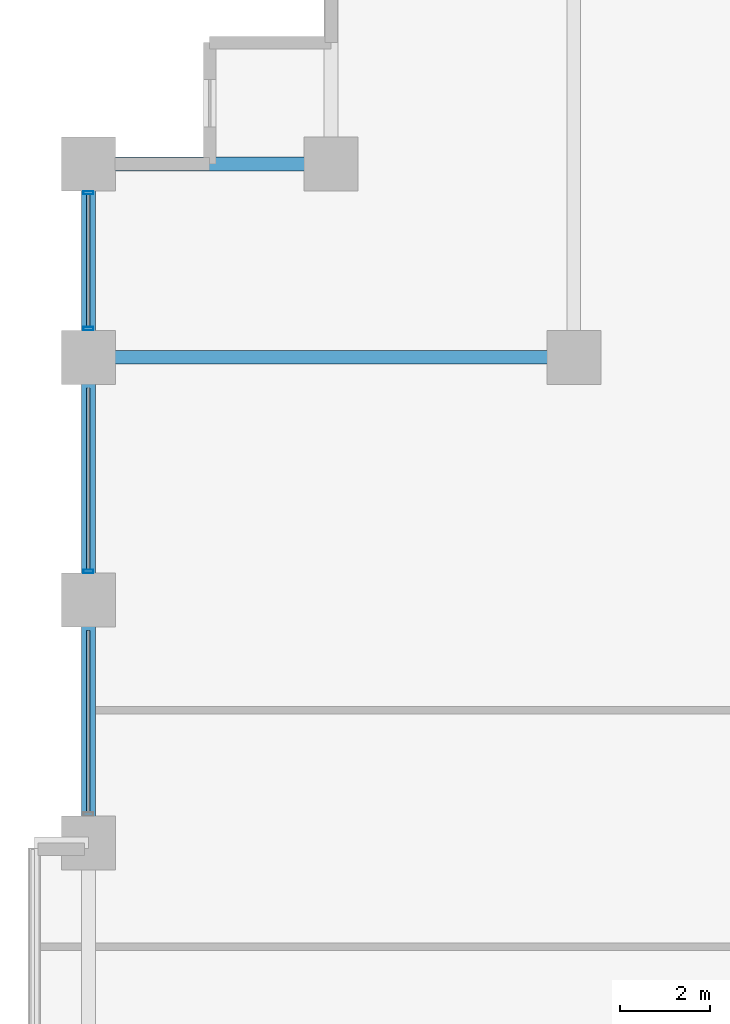
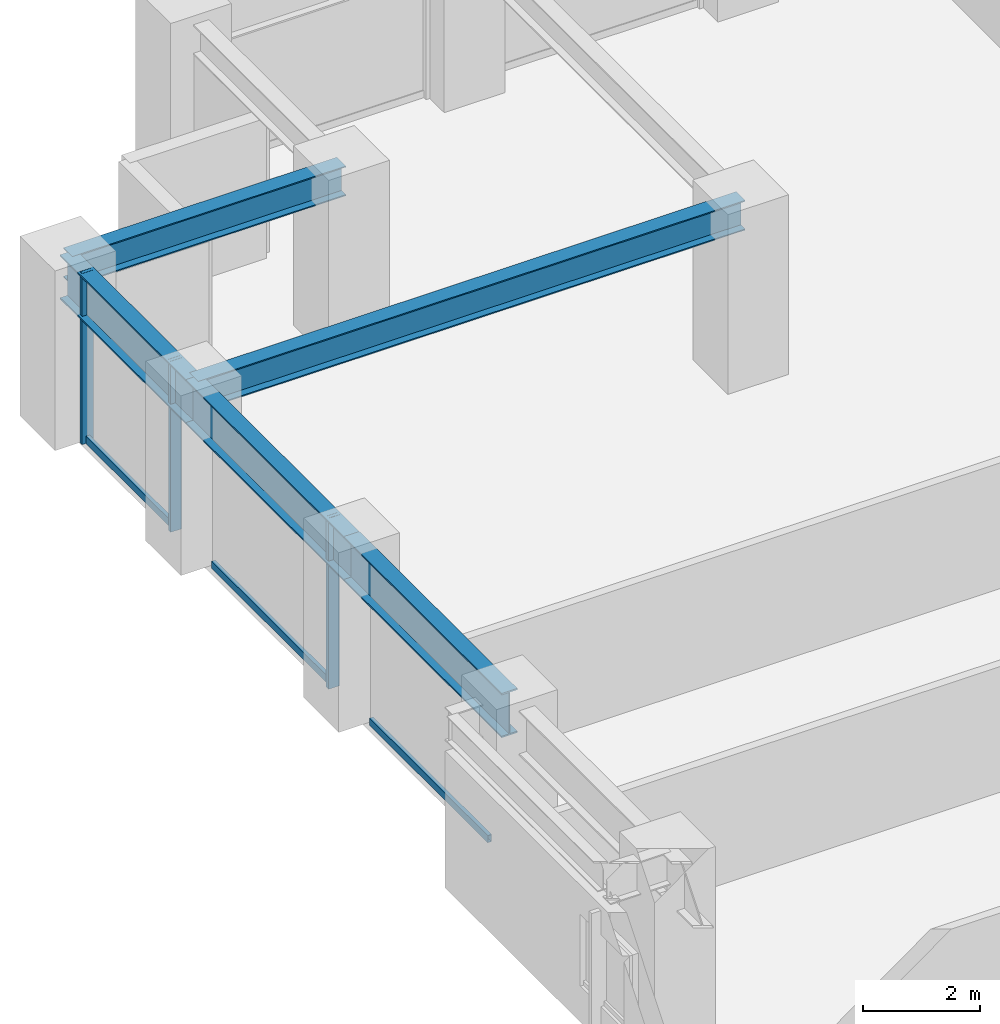
# One storey, part 10 of 27: 6 members, 5 beams, 1 element without a shape of its own.
"""IFC4 building model written with IfcOpenShell, lengths in metres."""

from ifc_helpers import new_model, si_unit, direction, frame, origin, origin_2d, place, context, subcontext, project, spatial, hollow_rectangle, i_section, extrude, material, layer, layer_set, material_profile, profile_set, type_object, element, aggregate, save


model = new_model("IFC4")

# Units and contexts
model_context = context("Model", 3, precision=1e-05, world=origin(), true_north=direction((0.0, 1.0)))
body_context = subcontext(model_context, "Body", "Model", "MODEL_VIEW")
ifc_project = project(units=[si_unit("LENGTHUNIT", "METRE"), si_unit("AREAUNIT", "SQUARE_METRE"), si_unit("VOLUMEUNIT", "CUBIC_METRE"), si_unit("PLANEANGLEUNIT", "RADIAN"), si_unit("MASSUNIT", "GRAM", prefix="KILO")], contexts=[model_context])

# Site, building, storey
site_placement = place(None, origin())
site = spatial("IfcSite", under=ifc_project, at=site_placement, CompositionType="ELEMENT")
building_placement = place(site_placement, origin())
building = spatial("IfcBuilding", under=site, at=building_placement, Name="Surkhivell Harbour Commons", CompositionType="ELEMENT")
storey_placement = place(building_placement, frame((0.0, 0.0, 56.25)))
storey = spatial("IfcBuildingStorey", under=building, at=storey_placement, Name="L14", CompositionType="ELEMENT", Elevation=56.25)

# Beams
ifc_material_1 = material(Name="Steel S355", Category="steel")
ifc_material_profile_1 = material_profile(ifc_material_1, i_section(OverallWidth=0.306884765625, OverallDepth=0.6201171875, WebThickness=0.01416015625, FlangeThickness=0.023681640625, at=origin_2d()), Name="UB610x305x179")
ifc_profile_set_1 = profile_set([ifc_material_profile_1], Name="Steel S355")
beam_type_1 = type_object("IfcBeamType", Name="BM-GRD-610A", PredefinedType="BEAM", material=ifc_profile_set_1)
beam_1_placement = place(storey_placement, frame((-32.39990234375, 16.199951171875, 3.260009765625), z_axis=(1.0, 0.0, 0.0), x_axis=(0.0, 1.0, 0.0)))
element("IfcBeam", 1, at=beam_1_placement, inside=storey, type_object=beam_type_1, Name="L14 Floor Girder (-32.4,16.2)", PredefinedType="BEAM", context=body_context, shape_type="SweptSolid", body=[
    extrude(i_section(OverallWidth=0.306884765625, OverallDepth=0.6201171875, WebThickness=0.01416015625, FlangeThickness=0.023681640625, at=origin_2d()), origin(), (0.0, 0.0, 1.0), 10.7998046875),
])
beam_2_placement = place(storey_placement, frame((-32.39990234375, 20.5, 3.260009765625), z_axis=(1.0, 0.0, 0.0), x_axis=(0.0, 1.0, 0.0)))
element("IfcBeam", 2, at=beam_2_placement, inside=storey, type_object=beam_type_1, Name="L14 Floor Girder (-32.4,20.5)", PredefinedType="BEAM", context=body_context, shape_type="SweptSolid", body=[
    extrude(i_section(OverallWidth=0.306884765625, OverallDepth=0.6201171875, WebThickness=0.01416015625, FlangeThickness=0.023681640625, at=origin_2d()), origin(), (0.0, 0.0, 1.0), 5.39990234375),
])
ifc_material_2 = material(Name="Steel S460", Category="steel")
ifc_material_profile_2 = material_profile(ifc_material_2, i_section(OverallWidth=0.30810546875, OverallDepth=0.927001953125, WebThickness=0.01953125, FlangeThickness=0.031982421875, at=origin_2d()), Name="UB914x305x289")
ifc_profile_set_2 = profile_set([ifc_material_profile_2], Name="Steel S460")
beam_type_2 = type_object("IfcBeamType", Name="BM-SPN-914B", PredefinedType="SPANDREL", material=ifc_profile_set_2)
beam_3_placement = place(storey_placement, frame((-32.39990234375, 5.39990234375, 3.1064453125), z_axis=(0.0, 1.0, 0.0), x_axis=(-1.0, 0.0, 0.0)))
element("IfcBeam", 3, at=beam_3_placement, inside=storey, type_object=beam_type_2, Name="L14 Tube Spandrel (-32.4,5.4)", PredefinedType="SPANDREL", context=body_context, shape_type="SweptSolid", body=[
    extrude(i_section(OverallWidth=0.30810546875, OverallDepth=0.927001953125, WebThickness=0.01953125, FlangeThickness=0.031982421875, at=origin_2d()), origin(), (0.0, 0.0, 1.0), 5.400146484375),
])
beam_4_placement = place(storey_placement, frame((-32.39990234375, 10.800048828125, 3.1064453125), z_axis=(0.0, 1.0, 0.0), x_axis=(-1.0, 0.0, 0.0)))
element("IfcBeam", 4, at=beam_4_placement, inside=storey, type_object=beam_type_2, Name="L14 Tube Spandrel (-32.4,10.8)", PredefinedType="SPANDREL", context=body_context, shape_type="SweptSolid", body=[
    extrude(i_section(OverallWidth=0.30810546875, OverallDepth=0.927001953125, WebThickness=0.01953125, FlangeThickness=0.031982421875, at=origin_2d()), origin(), (0.0, 0.0, 1.0), 5.39990234375),
])
beam_5_placement = place(storey_placement, frame((-32.39990234375, 16.199951171875, 3.1064453125), z_axis=(0.0, 1.0, 0.0), x_axis=(-1.0, 0.0, 0.0)))
element("IfcBeam", 5, at=beam_5_placement, inside=storey, type_object=beam_type_2, Name="L14 Tube Spandrel (-32.4,16.2)", PredefinedType="SPANDREL", context=body_context, shape_type="SweptSolid", body=[
    extrude(i_section(OverallWidth=0.30810546875, OverallDepth=0.927001953125, WebThickness=0.01953125, FlangeThickness=0.031982421875, at=origin_2d()), origin(), (0.0, 0.0, 1.0), 4.300048828125),
])

# Curtain wall, members
ifc_material_3 = material(Name="Anodised pale-metal aluminium and insulated glazing", Category="aluminium")
ifc_layer = layer(ifc_material_3, 0.219970703125)
ifc_layer_set = layer_set([ifc_layer], Name="Anodised pale-metal aluminium and insulated glazing")
curtain_wall_type = type_object("IfcCurtainWallType", Name="CW-SYS-Z1", PredefinedType="NOTDEFINED", material=ifc_layer_set)
curtain_wall_placement = place(storey_placement, origin())
curtain_wall = element("IfcCurtainWall", 6, at=curtain_wall_placement, inside=storey, type_object=curtain_wall_type, Name="L14 Curtain Wall CW-L14-E12R2", PredefinedType="NOTDEFINED")
ifc_material_4 = material(Name="Anodised pale-metal aluminium alloy 6063-T6", Category="aluminium")
ifc_material_profile_3 = material_profile(ifc_material_4, hollow_rectangle(XDim=0.074951171875, YDim=0.219970703125, WallThickness=0.00390625, at=origin_2d()), Name="ALU-MULL-75x220")
ifc_profile_set_3 = profile_set([ifc_material_profile_3], Name="Anodised pale-metal aluminium alloy 6063-T6")
member_type_1 = type_object("IfcMemberType", Name="CWM-220", PredefinedType="MULLION", material=ifc_profile_set_3)
member_1_placement = place(storey_placement, frame((-32.39990234375, 11.439453125, 0.0), z_axis=(0.0, 0.0, 1.0), x_axis=(0.0, 1.0, 0.0)))
member_1 = element("IfcMember", 7, at=member_1_placement, type_object=member_type_1, Name="CW-Z1 mullion 2", PredefinedType="MULLION", context=body_context, shape_type="SweptSolid", body=[
    extrude(hollow_rectangle(XDim=0.074951171875, YDim=0.219970703125, WallThickness=0.00390625, at=origin_2d()), origin(), (0.0, 0.0, 1.0), 3.570068359375),
])
member_2_placement = place(storey_placement, frame((-32.39990234375, 16.839599609375, 0.0), z_axis=(0.0, 0.0, 1.0), x_axis=(0.0, 1.0, 0.0)))
member_2 = element("IfcMember", 8, at=member_2_placement, type_object=member_type_1, Name="CW-Z1 mullion 3", PredefinedType="MULLION", context=body_context, shape_type="SweptSolid", body=[
    extrude(hollow_rectangle(XDim=0.074951171875, YDim=0.219970703125, WallThickness=0.00390625, at=origin_2d()), origin(), (0.0, 0.0, 1.0), 3.570068359375),
])
member_3_placement = place(storey_placement, frame((-32.39990234375, 19.860595703125, 0.0), z_axis=(0.0, 0.0, 1.0), x_axis=(0.0, 1.0, 0.0)))
member_3 = element("IfcMember", 9, at=member_3_placement, type_object=member_type_1, Name="CW-Z1 mullion 4", PredefinedType="MULLION", context=body_context, shape_type="SweptSolid", body=[
    extrude(hollow_rectangle(XDim=0.074951171875, YDim=0.219970703125, WallThickness=0.00390625, at=origin_2d()), origin(), (0.0, 0.0, 1.0), 3.570068359375),
])
ifc_material_profile_4 = material_profile(ifc_material_4, hollow_rectangle(XDim=0.074951171875, YDim=0.14990234375, WallThickness=0.00341796875, at=origin_2d()), Name="ALU-TRAN-75x150")
ifc_profile_set_4 = profile_set([ifc_material_profile_4], Name="Anodised pale-metal aluminium alloy 6063-T6")
member_type_2 = type_object("IfcMemberType", Name="CWT-150", PredefinedType="USERDEFINED", material=ifc_profile_set_4)
member_4_placement = place(storey_placement, frame((-32.39990234375, 6.076904296875, 0.074951171875), z_axis=(0.0, 1.0, 0.0), x_axis=(-1.0, 0.0, 0.0)))
member_4 = element("IfcMember", 10, at=member_4_placement, type_object=member_type_2, Name="CW-Z1 transom 1.1", ObjectType="TRANSOM", PredefinedType="USERDEFINED", context=body_context, shape_type="SweptSolid", body=[
    extrude(hollow_rectangle(XDim=0.074951171875, YDim=0.14990234375, WallThickness=0.00341796875, at=origin_2d()), origin(), (0.0, 0.0, 1.0), 4.046142578125),
])
member_5_placement = place(storey_placement, frame((-32.39990234375, 11.47705078125, 0.074951171875), z_axis=(0.0, 1.0, 0.0), x_axis=(-1.0, 0.0, 0.0)))
member_5 = element("IfcMember", 11, at=member_5_placement, type_object=member_type_2, Name="CW-Z1 transom 2.1", ObjectType="TRANSOM", PredefinedType="USERDEFINED", context=body_context, shape_type="SweptSolid", body=[
    extrude(hollow_rectangle(XDim=0.074951171875, YDim=0.14990234375, WallThickness=0.00341796875, at=origin_2d()), origin(), (0.0, 0.0, 1.0), 4.0458984375),
])
member_6_placement = place(storey_placement, frame((-32.39990234375, 16.876953125, 0.074951171875), z_axis=(0.0, 1.0, 0.0), x_axis=(-1.0, 0.0, 0.0)))
member_6 = element("IfcMember", 12, at=member_6_placement, type_object=member_type_2, Name="CW-Z1 transom 3.1", ObjectType="TRANSOM", PredefinedType="USERDEFINED", context=body_context, shape_type="SweptSolid", body=[
    extrude(hollow_rectangle(XDim=0.074951171875, YDim=0.14990234375, WallThickness=0.00341796875, at=origin_2d()), origin(), (0.0, 0.0, 1.0), 2.946044921875),
])
aggregate(curtain_wall, [member_4, member_1, member_5, member_2, member_3, member_6])

save(model, "model.ifc")
